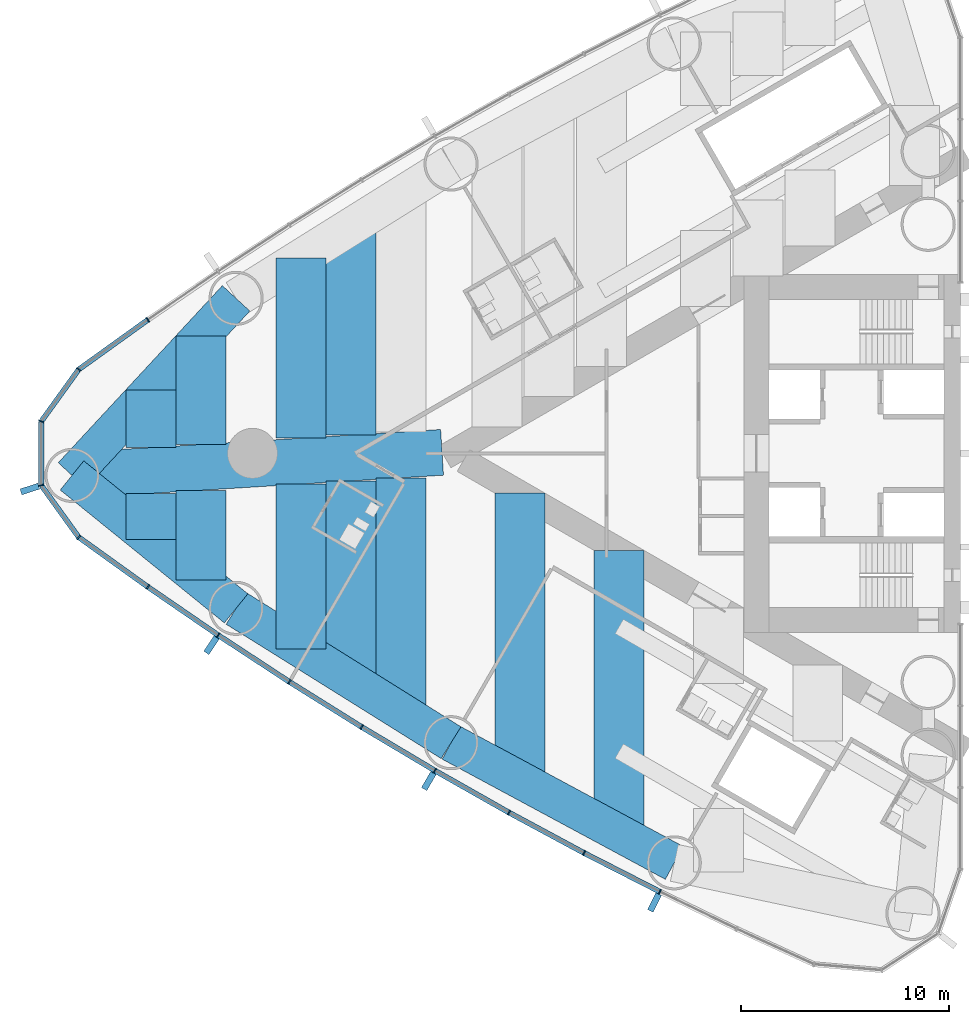
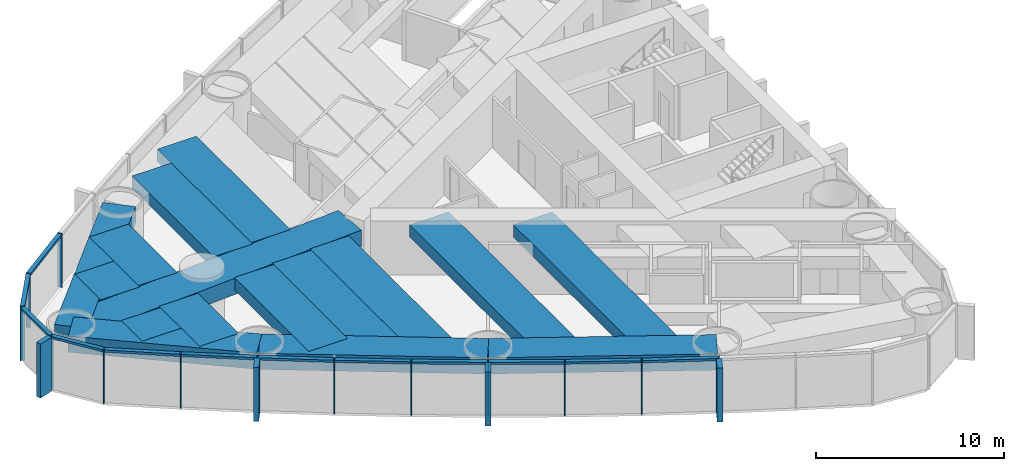
# One storey, part 2 of 19: 29 members, 16 beams, 1 element without a shape of its own.
"""IFC4 building model written with IfcOpenShell, lengths in metres."""

from ifc_helpers import new_model, si_unit, direction, frame, origin, origin_2d, place, context, subcontext, project, spatial, rectangle, extrude, material, material_profile, profile_set, type_object, element, aggregate, save


model = new_model("IFC4")

# Units and contexts
model_context = context("Model", 3, precision=1e-05, world=origin(), true_north=direction((0.0, 1.0)))
body_context = subcontext(model_context, "Body", "Model", "MODEL_VIEW")
ifc_project = project(units=[si_unit("LENGTHUNIT", "METRE"), si_unit("AREAUNIT", "SQUARE_METRE"), si_unit("VOLUMEUNIT", "CUBIC_METRE"), si_unit("PLANEANGLEUNIT", "RADIAN"), si_unit("MASSUNIT", "GRAM", prefix="KILO")], contexts=[model_context])

# Site, building, storey
site_placement = place(None, origin())
site = spatial("IfcSite", under=ifc_project, at=site_placement, CompositionType="ELEMENT")
building_placement = place(site_placement, origin())
building = spatial("IfcBuilding", under=site, at=building_placement, Name="Lancet Gate Hotel", CompositionType="ELEMENT")
storey_placement = place(building_placement, frame((0.0, 0.0, 111.60009765625)))
storey = spatial("IfcBuildingStorey", under=building, at=storey_placement, Name="L29", CompositionType="ELEMENT", Elevation=111.60009765625)

# Curtain wall, members
ifc_material_1 = material(Name="Aluminium curtain wall", Category="aluminium")
curtain_wall_type = type_object("IfcCurtainWallType", Name="Tower unitised curtain wall", PredefinedType="USERDEFINED", material=ifc_material_1)
curtain_wall_placement = place(storey_placement, origin())
curtain_wall = element("IfcCurtainWall", 1, at=curtain_wall_placement, inside=storey, type_object=curtain_wall_type, Name="T1 L29 curtain wall 1", ObjectType="UNITISED CURTAIN WALL", PredefinedType="USERDEFINED")
ifc_material_2 = material(Name="Aluminium mullion", Category="aluminium")
ifc_material_profile_1 = material_profile(ifc_material_2, rectangle(XDim=0.06494140625, YDim=0.25, at=origin_2d()), Name="MULLION 65x250")
ifc_profile_set_1 = profile_set([ifc_material_profile_1], Name="Aluminium mullion")
member_type_1 = type_object("IfcMemberType", Name="Aluminium mullion 65x250", PredefinedType="MULLION", material=ifc_profile_set_1)
member_1_placement = place(storey_placement, frame((-66.5234375, 6.41650390625, 0.0), z_axis=(0.0, 0.0, 1.0), x_axis=(-0.818327221681, -0.574752606132, 0.0)))
member_1 = element("IfcMember", 2, at=member_1_placement, type_object=member_type_1, Name="T1 L29 curtain wall 1 mullion 16", PredefinedType="MULLION", context=body_context, shape_type="SweptSolid", body=[
    extrude(rectangle(XDim=0.06494140625, YDim=0.25, at=origin_2d()), origin(), (0.0, 0.0, 1.0), 3.5),
])
member_2_placement = place(storey_placement, frame((-69.84619140625, 4.02880859375, 0.0), z_axis=(0.0, 0.0, 1.0), x_axis=(-0.723846229576, -0.6899613293, 0.0)))
member_2 = element("IfcMember", 3, at=member_2_placement, type_object=member_type_1, Name="T1 L29 curtain wall 1 mullion 17", PredefinedType="MULLION", context=body_context, shape_type="SweptSolid", body=[
    extrude(rectangle(XDim=0.06494140625, YDim=0.25, at=origin_2d()), origin(), (0.0, 0.0, 1.0), 3.5),
])
member_3_placement = place(storey_placement, frame((-71.64306640625, 1.536376953125, 0.0), z_axis=(0.0, 0.0, 1.0), x_axis=(-0.307269196735, -0.95162263568, 0.0)))
member_3 = element("IfcMember", 4, at=member_3_placement, type_object=member_type_1, Name="T1 L29 curtain wall 1 mullion 18", PredefinedType="MULLION", context=body_context, shape_type="SweptSolid", body=[
    extrude(rectangle(XDim=0.06494140625, YDim=0.25, at=origin_2d()), origin(), (0.0, 0.0, 1.0), 3.5),
])
member_4_placement = place(storey_placement, frame((-71.64306640625, -1.536376953125, 0.0), z_axis=(0.0, 0.0, 1.0), x_axis=(0.307269196735, -0.95162263568, 0.0)))
member_4 = element("IfcMember", 5, at=member_4_placement, type_object=member_type_1, Name="T1 L29 curtain wall 1 mullion 19", PredefinedType="MULLION", context=body_context, shape_type="SweptSolid", body=[
    extrude(rectangle(XDim=0.06494140625, YDim=0.25, at=origin_2d()), origin(), (0.0, 0.0, 1.0), 3.5),
])
member_5_placement = place(storey_placement, frame((-69.84619140625, -4.02880859375, 0.0), z_axis=(0.0, 0.0, 1.0), x_axis=(0.723846229576, -0.6899613293, 0.0)))
member_5 = element("IfcMember", 6, at=member_5_placement, type_object=member_type_1, Name="T1 L29 curtain wall 1 mullion 20", PredefinedType="MULLION", context=body_context, shape_type="SweptSolid", body=[
    extrude(rectangle(XDim=0.06494140625, YDim=0.25, at=origin_2d()), origin(), (0.0, 0.0, 1.0), 3.5),
])
member_6_placement = place(storey_placement, frame((-66.5234375, -6.41650390625, 0.0), z_axis=(0.0, 0.0, 1.0), x_axis=(0.818327221681, -0.574752606132, 0.0)))
member_6 = element("IfcMember", 7, at=member_6_placement, type_object=member_type_1, Name="T1 L29 curtain wall 1 mullion 21", PredefinedType="MULLION", context=body_context, shape_type="SweptSolid", body=[
    extrude(rectangle(XDim=0.06494140625, YDim=0.25, at=origin_2d()), origin(), (0.0, 0.0, 1.0), 3.5),
])
member_7_placement = place(storey_placement, frame((-63.14990234375, -8.73193359375, 0.0), z_axis=(0.0, 0.0, 1.0), x_axis=(0.830510096234, -0.557003572747, 0.0)))
member_7 = element("IfcMember", 8, at=member_7_placement, type_object=member_type_1, Name="T1 L29 curtain wall 1 mullion 22", PredefinedType="MULLION", context=body_context, shape_type="SweptSolid", body=[
    extrude(rectangle(XDim=0.06494140625, YDim=0.25, at=origin_2d()), origin(), (0.0, 0.0, 1.0), 3.5),
])
member_8_placement = place(storey_placement, frame((-59.7275390625, -10.974365234375, 0.0), z_axis=(0.0, 0.0, 1.0), x_axis=(0.84230807036, -0.538996395727, 0.0)))
member_8 = element("IfcMember", 9, at=member_8_placement, type_object=member_type_1, Name="T1 L29 curtain wall 1 mullion 23", PredefinedType="MULLION", context=body_context, shape_type="SweptSolid", body=[
    extrude(rectangle(XDim=0.06494140625, YDim=0.25, at=origin_2d()), origin(), (0.0, 0.0, 1.0), 3.5),
])
member_9_placement = place(storey_placement, frame((-56.257568359375, -13.142333984375, 0.0), z_axis=(0.0, 0.0, 1.0), x_axis=(0.853715676299, -0.52073942048, 0.0)))
member_9 = element("IfcMember", 10, at=member_9_placement, type_object=member_type_1, Name="T1 L29 curtain wall 1 mullion 24", PredefinedType="MULLION", context=body_context, shape_type="SweptSolid", body=[
    extrude(rectangle(XDim=0.06494140625, YDim=0.25, at=origin_2d()), origin(), (0.0, 0.0, 1.0), 3.5),
])
member_10_placement = place(storey_placement, frame((-52.74169921875, -15.2353515625, 0.0), z_axis=(0.0, 0.0, 1.0), x_axis=(0.86472762718, -0.502241108226, 0.0)))
member_10 = element("IfcMember", 11, at=member_10_placement, type_object=member_type_1, Name="T1 L29 curtain wall 1 mullion 25", PredefinedType="MULLION", context=body_context, shape_type="SweptSolid", body=[
    extrude(rectangle(XDim=0.06494140625, YDim=0.25, at=origin_2d()), origin(), (0.0, 0.0, 1.0), 3.5),
])
member_11_placement = place(storey_placement, frame((-49.181640625, -17.252197265625, 0.0), z_axis=(0.0, 0.0, 1.0), x_axis=(0.875338819507, -0.48351003202, 0.0)))
member_11 = element("IfcMember", 12, at=member_11_placement, type_object=member_type_1, Name="T1 L29 curtain wall 1 mullion 26", PredefinedType="MULLION", context=body_context, shape_type="SweptSolid", body=[
    extrude(rectangle(XDim=0.06494140625, YDim=0.25, at=origin_2d()), origin(), (0.0, 0.0, 1.0), 3.5),
])
member_12_placement = place(storey_placement, frame((-45.578857421875, -19.19189453125, 0.0), z_axis=(0.0, 0.0, 1.0), x_axis=(0.885544335517, -0.46455487279, 0.0)))
member_12 = element("IfcMember", 13, at=member_12_placement, type_object=member_type_1, Name="T1 L29 curtain wall 1 mullion 27", PredefinedType="MULLION", context=body_context, shape_type="SweptSolid", body=[
    extrude(rectangle(XDim=0.06494140625, YDim=0.25, at=origin_2d()), origin(), (0.0, 0.0, 1.0), 3.5),
])
member_13_placement = place(storey_placement, frame((-41.935302734375, -21.053466796875, 0.0), z_axis=(0.0, 0.0, 1.0), x_axis=(0.895339445458, -0.445384415317, 0.0)))
member_13 = element("IfcMember", 14, at=member_13_placement, type_object=member_type_1, Name="T1 L29 curtain wall 1 mullion 28", PredefinedType="MULLION", context=body_context, shape_type="SweptSolid", body=[
    extrude(rectangle(XDim=0.06494140625, YDim=0.25, at=origin_2d()), origin(), (0.0, 0.0, 1.0), 3.5),
])
ifc_material_3 = material(Name="Aluminium transom", Category="aluminium")
ifc_material_profile_2 = material_profile(ifc_material_3, rectangle(XDim=0.25, YDim=0.14990234375, at=origin_2d()), Name="TRANSOM 250x150")
ifc_profile_set_2 = profile_set([ifc_material_profile_2], Name="Aluminium transom")
member_type_2 = type_object("IfcMemberType", Name="Aluminium transom 250x150", PredefinedType="USERDEFINED", material=ifc_profile_set_2)
member_14_placement = place(storey_placement, frame((-66.5498046875, 6.3974609375, 3.4248046875), z_axis=(-0.812099770796, -0.583518604908, 0.0), x_axis=(0.583518604908, -0.812099770796, 0.0)))
member_14 = element("IfcMember", 15, at=member_14_placement, type_object=member_type_2, Name="T1 L29 curtain wall 1 transom 16", ObjectType="TRANSOM", PredefinedType="USERDEFINED", context=body_context, shape_type="SweptSolid", body=[
    extrude(rectangle(XDim=0.25, YDim=0.14990234375, at=origin_2d()), origin(), (0.0, 0.0, 1.0), 4.026611328125),
])
member_15_placement = place(storey_placement, frame((-69.865234375, 4.00244140625, 3.4248046875), z_axis=(-0.584787911241, -0.81118622946, 0.0), x_axis=(0.81118622946, -0.584787911241, 0.0)))
member_15 = element("IfcMember", 16, at=member_15_placement, type_object=member_type_2, Name="T1 L29 curtain wall 1 transom 17", ObjectType="TRANSOM", PredefinedType="USERDEFINED", context=body_context, shape_type="SweptSolid", body=[
    extrude(rectangle(XDim=0.25, YDim=0.14990234375, at=origin_2d()), origin(), (0.0, 0.0, 1.0), 3.007568359375),
])
member_16_placement = place(storey_placement, frame((-71.64306640625, 1.50390625, 3.4248046875), z_axis=(0.0, -1.0, 0.0), x_axis=(1.0, 0.0, 0.0)))
member_16 = element("IfcMember", 17, at=member_16_placement, type_object=member_type_2, Name="T1 L29 curtain wall 1 transom 18", ObjectType="TRANSOM", PredefinedType="USERDEFINED", context=body_context, shape_type="SweptSolid", body=[
    extrude(rectangle(XDim=0.25, YDim=0.14990234375, at=origin_2d()), origin(), (0.0, 0.0, 1.0), 3.0078125),
])
member_17_placement = place(storey_placement, frame((-71.6240234375, -1.562744140625, 3.4248046875), z_axis=(0.584787911241, -0.81118622946, 0.0), x_axis=(0.81118622946, 0.584787911241, 0.0)))
member_17 = element("IfcMember", 18, at=member_17_placement, type_object=member_type_2, Name="T1 L29 curtain wall 1 transom 19", ObjectType="TRANSOM", PredefinedType="USERDEFINED", context=body_context, shape_type="SweptSolid", body=[
    extrude(rectangle(XDim=0.25, YDim=0.14990234375, at=origin_2d()), origin(), (0.0, 0.0, 1.0), 3.007568359375),
])
member_18_placement = place(storey_placement, frame((-69.81982421875, -4.0478515625, 3.4248046875), z_axis=(0.812099770796, -0.583518604908, 0.0), x_axis=(0.583518604908, 0.812099770796, 0.0)))
member_18 = element("IfcMember", 19, at=member_18_placement, type_object=member_type_2, Name="T1 L29 curtain wall 1 transom 20", ObjectType="TRANSOM", PredefinedType="USERDEFINED", context=body_context, shape_type="SweptSolid", body=[
    extrude(rectangle(XDim=0.25, YDim=0.14990234375, at=origin_2d()), origin(), (0.0, 0.0, 1.0), 4.026611328125),
])
member_19_placement = place(storey_placement, frame((-66.49658203125, -6.434814453125, 3.4248046875), z_axis=(0.824455665247, -0.565926546508, 0.0), x_axis=(0.565926546508, 0.824455665247, 0.0)))
member_19 = element("IfcMember", 20, at=member_19_placement, type_object=member_type_2, Name="T1 L29 curtain wall 1 transom 21", ObjectType="TRANSOM", PredefinedType="USERDEFINED", context=body_context, shape_type="SweptSolid", body=[
    extrude(rectangle(XDim=0.25, YDim=0.14990234375, at=origin_2d()), origin(), (0.0, 0.0, 1.0), 4.026611328125),
])
member_20_placement = place(storey_placement, frame((-63.122802734375, -8.749755859375, 3.4248046875), z_axis=(0.83645442085, -0.548036496815, 0.0), x_axis=(0.548036496815, 0.83645442085, 0.0)))
member_20 = element("IfcMember", 21, at=member_20_placement, type_object=member_type_2, Name="T1 L29 curtain wall 1 transom 22", ObjectType="TRANSOM", PredefinedType="USERDEFINED", context=body_context, shape_type="SweptSolid", body=[
    extrude(rectangle(XDim=0.25, YDim=0.14990234375, at=origin_2d()), origin(), (0.0, 0.0, 1.0), 4.026611328125),
])
member_21_placement = place(storey_placement, frame((-59.699951171875, -10.991455078125, 3.4248046875), z_axis=(0.848049393821, -0.529917187531, 0.0), x_axis=(0.529917187531, 0.848049393821, 0.0)))
member_21 = element("IfcMember", 22, at=member_21_placement, type_object=member_type_2, Name="T1 L29 curtain wall 1 transom 23", ObjectType="TRANSOM", PredefinedType="USERDEFINED", context=body_context, shape_type="SweptSolid", body=[
    extrude(rectangle(XDim=0.25, YDim=0.14990234375, at=origin_2d()), origin(), (0.0, 0.0, 1.0), 4.026611328125),
])
member_22_placement = place(storey_placement, frame((-56.2294921875, -13.1591796875, 3.4248046875), z_axis=(0.859285270342, -0.511496651186, 0.0), x_axis=(0.511496651186, 0.859285270342, 0.0)))
member_22 = element("IfcMember", 23, at=member_22_placement, type_object=member_type_2, Name="T1 L29 curtain wall 1 transom 24", ObjectType="TRANSOM", PredefinedType="USERDEFINED", context=body_context, shape_type="SweptSolid", body=[
    extrude(rectangle(XDim=0.25, YDim=0.14990234375, at=origin_2d()), origin(), (0.0, 0.0, 1.0), 4.026611328125),
])
member_23_placement = place(storey_placement, frame((-52.71337890625, -15.25146484375, 3.4248046875), z_axis=(0.870091531013, -0.492890178091, 0.0), x_axis=(0.492890178091, 0.870091531013, 0.0)))
member_23 = element("IfcMember", 24, at=member_23_placement, type_object=member_type_2, Name="T1 L29 curtain wall 1 transom 25", ObjectType="TRANSOM", PredefinedType="USERDEFINED", context=body_context, shape_type="SweptSolid", body=[
    extrude(rectangle(XDim=0.25, YDim=0.14990234375, at=origin_2d()), origin(), (0.0, 0.0, 1.0), 4.026611328125),
])
member_24_placement = place(storey_placement, frame((-49.153076171875, -17.267578125, 3.4248046875), z_axis=(0.880498353192, -0.474049206335, 0.0), x_axis=(0.474049206335, 0.880498353192, 0.0)))
member_24 = element("IfcMember", 25, at=member_24_placement, type_object=member_type_2, Name="T1 L29 curtain wall 1 transom 26", ObjectType="TRANSOM", PredefinedType="USERDEFINED", context=body_context, shape_type="SweptSolid", body=[
    extrude(rectangle(XDim=0.25, YDim=0.14990234375, at=origin_2d()), origin(), (0.0, 0.0, 1.0), 4.02685546875),
])
member_25_placement = place(storey_placement, frame((-45.550048828125, -19.20654296875, 3.4248046875), z_axis=(0.89047617483, -0.455029869415, 0.0), x_axis=(0.455029869415, 0.89047617483, 0.0)))
member_25 = element("IfcMember", 26, at=member_25_placement, type_object=member_type_2, Name="T1 L29 curtain wall 1 transom 27", ObjectType="TRANSOM", PredefinedType="USERDEFINED", context=body_context, shape_type="SweptSolid", body=[
    extrude(rectangle(XDim=0.25, YDim=0.14990234375, at=origin_2d()), origin(), (0.0, 0.0, 1.0), 4.026611328125),
])

# Beams
ifc_material_4 = material(Name="Concrete C50/60", Category="concrete")
ifc_material_profile_3 = material_profile(ifc_material_4, rectangle(XDim=1.800048828125, YDim=1.050048828125, at=origin_2d()), Name="RC 1800x1050")
ifc_profile_set_3 = profile_set([ifc_material_profile_3], Name="Concrete C50/60")
beam_type_1 = type_object("IfcBeamType", Name="Edge beam RC 1800x1050", PredefinedType="SPANDREL", material=ifc_profile_set_3)
beam_1_placement = place(storey_placement, frame((-62.28662109375, 7.444580078125, 2.724853515625), z_axis=(-0.679718253794, -0.733473309303, 0.0), x_axis=(0.733473309303, -0.679718253794, 0.0)))
element("IfcBeam", 27, at=beam_1_placement, inside=storey, type_object=beam_type_1, Name="T1 edge beam EB1 L29", PredefinedType="SPANDREL", context=body_context, shape_type="SweptSolid", body=[
    extrude(rectangle(XDim=1.800048828125, YDim=1.050048828125, at=origin_2d()), origin(), (0.0, 0.0, 1.0), 11.594970703125),
])
beam_2_placement = place(storey_placement, frame((-70.16796875, -1.06005859375, 2.724853515625), z_axis=(0.777033503891, -0.629459239213, 0.0), x_axis=(0.629459239213, 0.777033503891, 0.0)))
element("IfcBeam", 28, at=beam_2_placement, inside=storey, type_object=beam_type_1, Name="T1 edge beam EB1 L29", PredefinedType="SPANDREL", context=body_context, shape_type="SweptSolid", body=[
    extrude(rectangle(XDim=1.800048828125, YDim=1.050048828125, at=origin_2d()), origin(), (0.0, 0.0, 1.0), 10.142822265625),
])
for number, where, z_axis, x_axis, name in (
    (29, (-62.28662109375, -7.444580078125, 2.724853515625), (0.848062521637, -0.529896177939, 0.0), (0.529896177939, 0.848062521637, 0.0), "T1 edge beam EB1 L29"),
    (30, (-51.963134765625, -13.89501953125, 2.724853515625), (0.880492350889, -0.474060354835, 0.0), (0.474060354835, 0.880492350889, 0.0), "T1 edge beam EB1 L29"),
):
    element("IfcBeam", number, at=place(storey_placement, frame(where, z_axis=z_axis, x_axis=x_axis)), inside=storey, type_object=beam_type_1, Name=name, PredefinedType="SPANDREL", context=body_context, shape_type="SweptSolid", body=[
        extrude(rectangle(XDim=1.800048828125, YDim=1.050048828125, at=origin_2d()), origin(), (0.0, 0.0, 1.0), 12.173095703125),
    ])

# Member
ifc_material_5 = material(Name="Precast concrete C50/60", Category="concrete")
ifc_material_profile_4 = material_profile(ifc_material_5, rectangle(XDim=0.300048828125, YDim=0.89990234375, at=origin_2d()), Name="FIN 300x900")
ifc_profile_set_4 = profile_set([ifc_material_profile_4], Name="Precast concrete C50/60")
member_type_3 = type_object("IfcMemberType", Name="Exposed concrete fin 300x900", PredefinedType="USERDEFINED", material=ifc_profile_set_4)
member_26_placement = place(storey_placement, frame((-72.190185546875, -1.713134765625, 0.0), z_axis=(0.0, 0.0, 1.0), x_axis=(0.307269196735, -0.95162263568, 0.0)))
member_26 = element("IfcMember", 31, at=member_26_placement, type_object=member_type_3, Name="T1 L29 curtain wall 1 fin 19", ObjectType="FIN", PredefinedType="USERDEFINED", context=body_context, shape_type="SweptSolid", body=[
    extrude(rectangle(XDim=0.300048828125, YDim=0.89990234375, at=origin_2d()), origin(), (0.0, 0.0, 1.0), 3.5),
])

member_27_placement = place(storey_placement, frame((-63.47021484375, -9.20947265625, 0.0), z_axis=(0.0, 0.0, 1.0), x_axis=(0.830510096234, -0.557003572747, 0.0)))
member_27 = element("IfcMember", 32, at=member_27_placement, type_object=member_type_3, Name="T1 L29 curtain wall 1 fin 22", ObjectType="FIN", PredefinedType="USERDEFINED", context=body_context, shape_type="SweptSolid", body=[
    extrude(rectangle(XDim=0.300048828125, YDim=0.89990234375, at=origin_2d()), origin(), (0.0, 0.0, 1.0), 3.5),
])

member_28_placement = place(storey_placement, frame((-53.030517578125, -15.732666015625, 0.0), z_axis=(0.0, 0.0, 1.0), x_axis=(0.86472762718, -0.502241108226, 0.0)))
member_28 = element("IfcMember", 33, at=member_28_placement, type_object=member_type_3, Name="T1 L29 curtain wall 1 fin 25", ObjectType="FIN", PredefinedType="USERDEFINED", context=body_context, shape_type="SweptSolid", body=[
    extrude(rectangle(XDim=0.300048828125, YDim=0.89990234375, at=origin_2d()), origin(), (0.0, 0.0, 1.0), 3.5),
])

member_29_placement = place(storey_placement, frame((-42.19140625, -21.568359375, 0.0), z_axis=(0.0, 0.0, 1.0), x_axis=(0.895339445458, -0.445384415317, 0.0)))
member_29 = element("IfcMember", 34, at=member_29_placement, type_object=member_type_3, Name="T1 L29 curtain wall 1 fin 28", ObjectType="FIN", PredefinedType="USERDEFINED", context=body_context, shape_type="SweptSolid", body=[
    extrude(rectangle(XDim=0.300048828125, YDim=0.89990234375, at=origin_2d()), origin(), (0.0, 0.0, 1.0), 3.5),
])

aggregate(curtain_wall, [member_1, member_2, member_3, member_4, member_26, member_5, member_6, member_7, member_27, member_8, member_9, member_10, member_28, member_11, member_12, member_13, member_29, member_14, member_15, member_16, member_17, member_18, member_19, member_20, member_21, member_22, member_23, member_24, member_25])

# Beams
ifc_material_6 = material(Name="Concrete C50/60", Category="concrete")
ifc_material_profile_5 = material_profile(ifc_material_6, rectangle(XDim=2.39990234375, YDim=0.800048828125, at=origin_2d()), Name="RC 2400x800")
ifc_profile_set_5 = profile_set([ifc_material_profile_5], Name="Concrete C50/60")
beam_type_2 = type_object("IfcBeamType", Name="Floor beam RC 2400x800", PredefinedType="BEAM", material=ifc_profile_set_5)
beam_3_placement = place(storey_placement, frame((-43.891357421875, -4.663330078125, 2.849853515625), z_axis=(0.0, -1.0, 0.0), x_axis=(1.0, 0.0, 0.0)))
element("IfcBeam", 35, at=beam_3_placement, inside=storey, type_object=beam_type_2, Name="T1 floor beam F08N L29", PredefinedType="BEAM", context=body_context, shape_type="SweptSolid", body=[
    extrude(rectangle(XDim=2.39990234375, YDim=0.800048828125, at=origin_2d()), origin(), (0.0, 0.0, 1.0), 13.57763671875),
])
beam_4_placement = place(storey_placement, frame((-48.66015625, -1.909912109375, 2.849853515625), z_axis=(0.0, -1.0, 0.0), x_axis=(1.0, 0.0, 0.0)))
element("IfcBeam", 36, at=beam_4_placement, inside=storey, type_object=beam_type_2, Name="T1 floor beam F11N L29", PredefinedType="BEAM", context=body_context, shape_type="SweptSolid", body=[
    extrude(rectangle(XDim=2.39990234375, YDim=0.800048828125, at=origin_2d()), origin(), (0.0, 0.0, 1.0), 13.763427734375),
])
beam_5_placement = place(storey_placement, frame((-54.3681640625, -1.177001953125, 2.849853515625), z_axis=(0.0, -1.0, 0.0), x_axis=(1.0, 0.0, 0.0)))
element("IfcBeam", 37, at=beam_5_placement, inside=storey, type_object=beam_type_2, Name="T1 floor beam F14N L29", PredefinedType="BEAM", context=body_context, shape_type="SweptSolid", body=[
    extrude(rectangle(XDim=2.39990234375, YDim=0.800048828125, at=origin_2d()), origin(), (0.0, 0.0, 1.0), 11.21533203125),
])
beam_6_placement = place(storey_placement, frame((-56.768310546875, 10.892578125, 2.849853515625), z_axis=(0.0, -1.0, 0.0), x_axis=(1.0, 0.0, 0.0)))
element("IfcBeam", 38, at=beam_6_placement, inside=storey, type_object=beam_type_2, Name="T1 floor beam F15S L29", PredefinedType="BEAM", context=body_context, shape_type="SweptSolid", body=[
    extrude(rectangle(XDim=2.39990234375, YDim=0.800048828125, at=origin_2d()), origin(), (0.0, 0.0, 1.0), 10.014892578125),
])
beam_7_placement = place(storey_placement, frame((-56.768310546875, -1.32666015625, 2.849853515625), z_axis=(0.0, -1.0, 0.0), x_axis=(1.0, 0.0, 0.0)))
element("IfcBeam", 39, at=beam_7_placement, inside=storey, type_object=beam_type_2, Name="T1 floor beam F16N L29", PredefinedType="BEAM", context=body_context, shape_type="SweptSolid", body=[
    extrude(rectangle(XDim=2.39990234375, YDim=0.800048828125, at=origin_2d()), origin(), (0.0, 0.0, 1.0), 9.56591796875),
])
beam_8_placement = place(storey_placement, frame((-59.168212890625, 9.39306640625, 2.849853515625), z_axis=(0.0, -1.0, 0.0), x_axis=(1.0, 0.0, 0.0)))
element("IfcBeam", 40, at=beam_8_placement, inside=storey, type_object=beam_type_2, Name="T1 floor beam F17S L29", PredefinedType="BEAM", context=body_context, shape_type="SweptSolid", body=[
    extrude(rectangle(XDim=2.39990234375, YDim=0.800048828125, at=origin_2d()), origin(), (0.0, 0.0, 1.0), 8.6650390625),
])
beam_9_placement = place(storey_placement, frame((-59.168212890625, -1.476318359375, 2.849853515625), z_axis=(0.0, -1.0, 0.0), x_axis=(1.0, 0.0, 0.0)))
element("IfcBeam", 41, at=beam_9_placement, inside=storey, type_object=beam_type_2, Name="T1 floor beam F18N L29", PredefinedType="BEAM", context=body_context, shape_type="SweptSolid", body=[
    extrude(rectangle(XDim=2.39990234375, YDim=0.800048828125, at=origin_2d()), origin(), (0.0, 0.0, 1.0), 7.916748046875),
])
beam_10_placement = place(storey_placement, frame((-63.96826171875, 5.6298828125, 2.849853515625), z_axis=(0.0, -1.0, 0.0), x_axis=(1.0, 0.0, 0.0)))
element("IfcBeam", 42, at=beam_10_placement, inside=storey, type_object=beam_type_2, Name="T1 floor beam F19S L29", PredefinedType="BEAM", context=body_context, shape_type="SweptSolid", body=[
    extrude(rectangle(XDim=2.39990234375, YDim=0.800048828125, at=origin_2d()), origin(), (0.0, 0.0, 1.0), 5.201171875),
])
beam_11_placement = place(storey_placement, frame((-63.96826171875, -1.775634765625, 2.849853515625), z_axis=(0.0, -1.0, 0.0), x_axis=(1.0, 0.0, 0.0)))
element("IfcBeam", 43, at=beam_11_placement, inside=storey, type_object=beam_type_2, Name="T1 floor beam F20N L29", PredefinedType="BEAM", context=body_context, shape_type="SweptSolid", body=[
    extrude(rectangle(XDim=2.39990234375, YDim=0.800048828125, at=origin_2d()), origin(), (0.0, 0.0, 1.0), 4.306640625),
])
beam_12_placement = place(storey_placement, frame((-66.3681640625, 3.040283203125, 2.849853515625), z_axis=(0.0, -1.0, 0.0), x_axis=(1.0, 0.0, 0.0)))
element("IfcBeam", 44, at=beam_12_placement, inside=storey, type_object=beam_type_2, Name="T1 floor beam F21S L29", PredefinedType="BEAM", context=body_context, shape_type="SweptSolid", body=[
    extrude(rectangle(XDim=2.39990234375, YDim=0.800048828125, at=origin_2d()), origin(), (0.0, 0.0, 1.0), 2.76123046875),
])
beam_13_placement = place(storey_placement, frame((-66.3681640625, -1.92529296875, 2.849853515625), z_axis=(0.0, -1.0, 0.0), x_axis=(1.0, 0.0, 0.0)))
element("IfcBeam", 45, at=beam_13_placement, inside=storey, type_object=beam_type_2, Name="T1 floor beam F22N L29", PredefinedType="BEAM", context=body_context, shape_type="SweptSolid", body=[
    extrude(rectangle(XDim=2.39990234375, YDim=0.800048828125, at=origin_2d()), origin(), (0.0, 0.0, 1.0), 2.212890625),
])
ifc_material_7 = material(Name="Concrete C50/60", Category="concrete")
ifc_material_profile_6 = material_profile(ifc_material_7, rectangle(XDim=2.199951171875, YDim=1.050048828125, at=origin_2d()), Name="RC 2200x1050")
ifc_profile_set_6 = profile_set([ifc_material_profile_6], Name="Concrete C50/60")
beam_type_3 = type_object("IfcBeamType", Name="Radial floor beam RC 2200x1050", PredefinedType="BEAM", material=ifc_profile_set_6)
beam_14_placement = place(storey_placement, frame((-70.16796875, -1.06005859375, 2.724853515625), z_axis=(0.998061637313, 0.062233175423, 0.0), x_axis=(-0.062233175423, 0.998061637313, 0.0)))
element("IfcBeam", 46, at=beam_14_placement, inside=storey, type_object=beam_type_3, Name="T1 radial beam CA L29", PredefinedType="BEAM", context=body_context, shape_type="SweptSolid", body=[
    extrude(rectangle(XDim=2.199951171875, YDim=1.050048828125, at=origin_2d()), origin(), (0.0, 0.0, 1.0), 17.806396484375),
])

save(model, "model.ifc")
